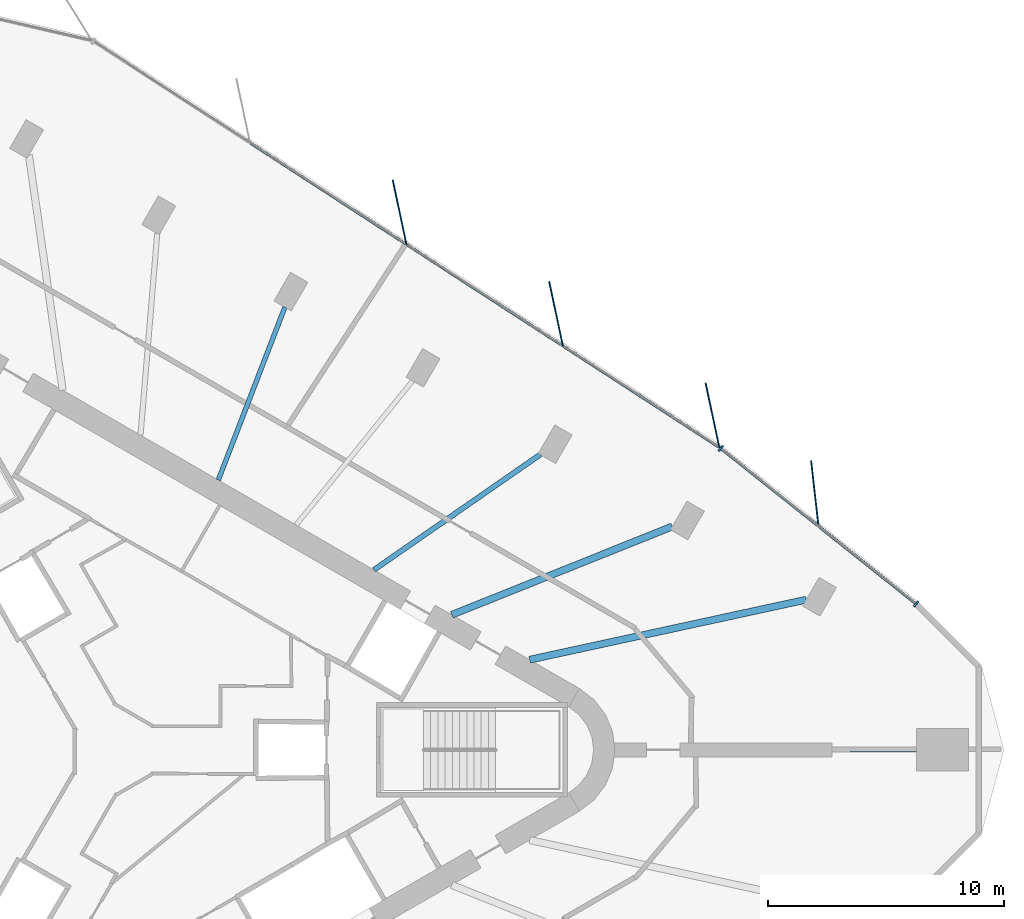
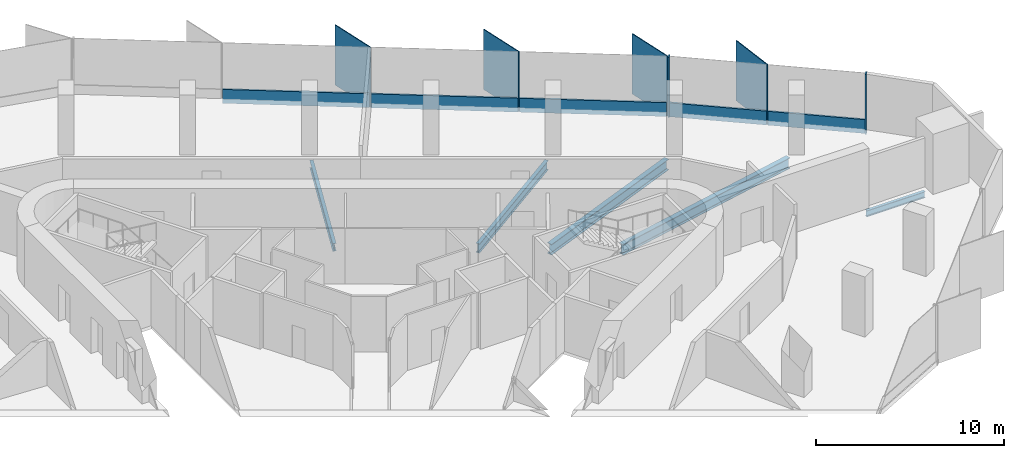
# One storey, part 5 of 13: 11 members, 5 beams, 2 elements without a shape of their own.
"""IFC4 building model written with IfcOpenShell, lengths in metres."""

import ifcopenshell
import ifcopenshell.guid

model = None  # the IFC model being written
_history = None  # IfcOwnerHistory: only IFC2X3 demands one
_inside = {}  # id of a spatial element -> (the spatial element, [elements in it])
_under = {}  # id of a project, library or spatial element -> (it, [spatial elements below it])
_declared = {}  # id of a project -> (the project, [libraries it declares])
_typed = {}  # id of a type object -> (the type object, [elements of that type])
_made_of = {}  # id of a material, layer set ... -> (it, [elements and type objects made of it])


def new_model(schema):
    """Start an empty IFC model of exactly this schema.

    Asked for "IFC4X3", IfcOpenShell would pick the latest addendum, in which some entities
    have other attributes; the version numbers below select the first issue.
    IFC2X3 requires an IfcOwnerHistory on every rooted entity: one is made here for all.
    """
    global model, _history
    if schema == "IFC4X3":
        model = ifcopenshell.file(schema_version=(4, 3, 0, 0))
    else:
        model = ifcopenshell.file(schema=schema)
    _inside.clear()
    _under.clear()
    _declared.clear()
    _typed.clear()
    _made_of.clear()
    _history = None
    if model.schema == "IFC2X3":
        org = make("IfcOrganization", Name="unknown")
        user = make(
            "IfcPersonAndOrganization",
            ThePerson=make("IfcPerson", FamilyName="unknown"),
            TheOrganization=org,
        )
        app = make(
            "IfcApplication",
            ApplicationDeveloper=org,
            Version="unknown",
            ApplicationFullName="unknown",
            ApplicationIdentifier="unknown",
        )
        _history = make(
            "IfcOwnerHistory",
            OwningUser=user,
            OwningApplication=app,
            ChangeAction="ADDED",
            CreationDate=0,
        )
    return model


def make(cls, **values):
    """One entity of the class cls with the attributes given. An attribute that is None is left unset."""
    return model.create_entity(
        cls, **{name: value for name, value in values.items() if value is not None}
    )


def rooted(cls, **values):
    """An entity with a GlobalId (a new one), such as an element, a storey or a relation."""
    return make(cls, GlobalId=ifcopenshell.guid.new(), OwnerHistory=_history, **values)


def si_unit(unit_type, name, prefix=None):
    """IfcSIUnit, for example si_unit("LENGTHUNIT", "METRE", prefix="MILLI")."""
    return make("IfcSIUnit", UnitType=unit_type, Prefix=prefix, Name=name)


def assignment(units):
    """IfcUnitAssignment: the units of a project."""
    return None if units is None else make("IfcUnitAssignment", Units=units)


def point(xyz):
    """IfcCartesianPoint."""
    return None if xyz is None else make("IfcCartesianPoint", Coordinates=xyz)


def direction(xyz):
    """IfcDirection."""
    return None if xyz is None else make("IfcDirection", DirectionRatios=xyz)


def frame(location, z_axis=None, x_axis=None):
    """IfcAxis2Placement3D, a coordinate frame: its origin and axes. An axis left out is left unset."""
    return make(
        "IfcAxis2Placement3D",
        Location=point(location),
        Axis=direction(z_axis),
        RefDirection=direction(x_axis),
    )


def frame_2d(location, x_axis=None):
    """IfcAxis2Placement2D, a coordinate frame in the plane: its origin and x axis."""
    return make(
        "IfcAxis2Placement2D", Location=point(location), RefDirection=direction(x_axis)
    )


def origin():
    """The frame at (0, 0, 0) with its axes left unset."""
    return frame((0.0, 0.0, 0.0))


def origin_2d():
    """The frame at (0, 0) in the plane with its x axis left unset."""
    return frame_2d((0.0, 0.0))


def place(relative_to, where):
    """IfcLocalPlacement: puts the frame where relative to a parent placement (None: the world)."""
    return make(
        "IfcLocalPlacement", PlacementRelTo=relative_to, RelativePlacement=where
    )


def context(
    kind, dimensions, precision=None, world=None, true_north=None, identifier=None
):
    """IfcGeometricRepresentationContext, for example the 3D "Model" context."""
    return make(
        "IfcGeometricRepresentationContext",
        ContextIdentifier=identifier,
        ContextType=kind,
        CoordinateSpaceDimension=dimensions,
        Precision=precision,
        WorldCoordinateSystem=world,
        TrueNorth=true_north,
    )


def subcontext(parent, identifier, kind, view, scale=None):
    """IfcGeometricRepresentationSubContext, for example "Body" below "Model"."""
    return make(
        "IfcGeometricRepresentationSubContext",
        ContextIdentifier=identifier,
        ContextType=kind,
        ParentContext=parent,
        TargetScale=scale,
        TargetView=view,
    )


def project(units=None, contexts=None):
    """IfcProject with its units and contexts."""
    return rooted(
        "IfcProject",
        Name="project",
        RepresentationContexts=contexts,
        UnitsInContext=assignment(units),
    )


def spatial(cls, under=None, at=None, **own):
    """A site, building, storey or space (cls), placed at a placement, below another one or the project."""
    s = rooted(cls, ObjectPlacement=at, **own)
    if under is not None:
        _under.setdefault(under.id(), (under, []))[1].append(s)
    return s


def profile(cls, at=None, kind="AREA", **sizes):
    """A parametric profile (cls). Its sizes go by their IFC names, for example OverallWidth=200.0."""
    return make(cls, ProfileType=kind, Position=at, **sizes)


def rectangle(**sizes):
    """IfcRectangleProfileDef."""
    return profile("IfcRectangleProfileDef", **sizes)


def i_section(**sizes):
    """IfcIShapeProfileDef."""
    return profile("IfcIShapeProfileDef", **sizes)


def extrude(swept, where, along, depth):
    """IfcExtrudedAreaSolid: the profile swept, set in the frame where, extruded along a direction by depth."""
    return make(
        "IfcExtrudedAreaSolid",
        SweptArea=swept,
        Position=where,
        ExtrudedDirection=direction(along),
        Depth=depth,
    )


def shape(context_of_items, identifier, shape_type, items):
    """IfcShapeRepresentation: the items that make up one representation, for example the "Body"."""
    return make(
        "IfcShapeRepresentation",
        ContextOfItems=context_of_items,
        RepresentationIdentifier=identifier,
        RepresentationType=shape_type,
        Items=items,
    )


def material(Name=None, Category=None):
    """IfcMaterial."""
    return make("IfcMaterial", Name=Name, Category=Category)


def material_profile(
    of_material, cross_section, Name=None, Category=None, Priority=None
):
    """IfcMaterialProfile: a cross section and its material."""
    return make(
        "IfcMaterialProfile",
        Name=Name,
        Material=of_material,
        Profile=cross_section,
        Priority=Priority,
        Category=Category,
    )


def profile_set(profiles, Name=None, composite=None):
    """IfcMaterialProfileSet."""
    return make(
        "IfcMaterialProfileSet",
        Name=Name,
        MaterialProfiles=profiles,
        CompositeProfile=composite,
    )


def made_of(thing, what):
    """Note that an element or type object is made of a material, layer set ...; save() writes the relation."""
    if what is not None:
        _made_of.setdefault(what.id(), (what, []))[1].append(thing)
    return thing


def type_object(cls, material=None, **own):
    """A type object (cls), such as IfcWallType, which elements share."""
    return made_of(rooted(cls, **own), material)


def element(
    cls,
    number,
    at=None,
    inside=None,
    cuts=None,
    type_object=None,
    material=None,
    context=None,
    identifier="Body",
    shape_type=None,
    held_by="IfcProductDefinitionShape",
    body=None,
    shapes=None,
    **own,
):
    """One element of the class cls, such as IfcWall. Its Tag is "e" and its number.

    at: its placement. inside: the storey or other place that contains it. cuts: it is an
    opening in that element (IfcRelVoidsElement). A single representation is given by context,
    identifier, shape_type and body (its items); several are given by shapes. held_by: the class
    of the entity that holds the representations. save() writes the other relations.
    """
    e = rooted(cls, Tag="e%d" % number, ObjectPlacement=at, **own)
    if body is not None:
        shapes = [shape(context, identifier, shape_type, body)]
    if shapes is not None:
        e.Representation = make(held_by, Representations=shapes)
    if inside is not None:
        _inside.setdefault(inside.id(), (inside, []))[1].append(e)
    if cuts is not None:
        rooted(
            "IfcRelVoidsElement", RelatingBuildingElement=cuts, RelatedOpeningElement=e
        )
    if type_object is not None:
        _typed.setdefault(type_object.id(), (type_object, []))[1].append(e)
    return made_of(e, material)


def aggregate(whole, parts):
    """IfcRelAggregates: a whole, such as a stair, and the parts it consists of."""
    return rooted("IfcRelAggregates", RelatingObject=whole, RelatedObjects=parts)


def save(model, path):
    """Write the relations noted so far, then the file.

    IfcRelAggregates (storeys below a building ...), IfcRelContainedInSpatialStructure (elements
    in a storey), IfcRelDefinesByType, IfcRelAssociatesMaterial and IfcRelDeclares: one each for
    every whole, place, type object, material and project.
    """
    for whole, parts in _under.values():
        aggregate(whole, parts)
    for where, things in _inside.values():
        rooted(
            "IfcRelContainedInSpatialStructure",
            RelatedElements=things,
            RelatingStructure=where,
        )
    for kind, things in _typed.values():
        rooted("IfcRelDefinesByType", RelatedObjects=things, RelatingType=kind)
    for what, things in _made_of.values():
        rooted("IfcRelAssociatesMaterial", RelatedObjects=things, RelatingMaterial=what)
    for by, libraries in _declared.values():
        rooted("IfcRelDeclares", RelatingContext=by, RelatedDefinitions=libraries)
    model.write(path)


model = new_model("IFC4")

# Units and contexts
model_context = context("Model", 3, precision=1e-05, world=origin(), true_north=direction((0.0, 1.0)))
body_context = subcontext(model_context, "Body", "Model", "MODEL_VIEW")
ifc_project = project(units=[si_unit("LENGTHUNIT", "METRE"), si_unit("AREAUNIT", "SQUARE_METRE"), si_unit("VOLUMEUNIT", "CUBIC_METRE"), si_unit("PLANEANGLEUNIT", "RADIAN"), si_unit("MASSUNIT", "GRAM", prefix="KILO")], contexts=[model_context])

# Site, building, storey
site_placement = place(None, origin())
site = spatial("IfcSite", under=ifc_project, at=site_placement, CompositionType="ELEMENT")
building_placement = place(site_placement, origin())
building = spatial("IfcBuilding", under=site, at=building_placement, Name="Tanit Gate Tower", CompositionType="ELEMENT")
storey_placement = place(building_placement, frame((0.0, 0.0, 314.300048828125)))
storey = spatial("IfcBuildingStorey", under=building, at=storey_placement, Name="L70", CompositionType="ELEMENT", Elevation=314.300048828125)

# Curtain wall, member
ifc_material_1 = material(Name="Aluminium bronze anodised and glass", Category="aluminium")
curtain_wall_type = type_object("IfcCurtainWallType", Name="Curtain wall typical high", PredefinedType="NOTDEFINED", material=ifc_material_1)
curtain_wall_1_placement = place(storey_placement, origin())
curtain_wall_1 = element("IfcCurtainWall", 1, at=curtain_wall_1_placement, inside=storey, type_object=curtain_wall_type, Name="Curtain wall L70 NE1", PredefinedType="NOTDEFINED")
ifc_material_2 = material(Name="Aluminium bronze anodised", Category="aluminium")
ifc_material_profile_1 = material_profile(ifc_material_2, rectangle(XDim=2.800048828125, YDim=0.055908203125, at=origin_2d()), Name="56x2800 bronze fin mullion")
ifc_profile_set_1 = profile_set([ifc_material_profile_1], Name="Aluminium bronze anodised")
member_type_1 = type_object("IfcMemberType", Name="FIN MULLION 56x2800 bronze", PredefinedType="MULLION", material=ifc_profile_set_1)
member_1_placement = place(storey_placement, frame((29.66943359375, 10.850830078125, -0.300048828125), z_axis=(0.0, 0.0, 1.0), x_axis=(0.112781619108, -0.993619799718, 0.0)))
member_1 = element("IfcMember", 2, at=member_1_placement, type_object=member_type_1, Name="Fin mullion L70 NE1.2", PredefinedType="MULLION", context=body_context, shape_type="SweptSolid", body=[
    extrude(rectangle(XDim=2.800048828125, YDim=0.055908203125, at=origin_2d()), origin(), (0.0, 0.0, 1.0), 3.89990234375),
])

# Curtain wall, members
curtain_wall_2_placement = place(storey_placement, origin())
curtain_wall_2 = element("IfcCurtainWall", 3, at=curtain_wall_2_placement, inside=storey, type_object=curtain_wall_type, Name="Curtain wall L70 NE2", PredefinedType="NOTDEFINED")
member_2_placement = place(storey_placement, frame((25.33447265625, 14.170654296875, -0.300048828125), z_axis=(0.0, 0.0, 1.0), x_axis=(0.208237849046, -0.978078216824, 0.0)))
member_2 = element("IfcMember", 4, at=member_2_placement, type_object=member_type_1, Name="Fin mullion L70 NE2.1", PredefinedType="MULLION", context=body_context, shape_type="SweptSolid", body=[
    extrude(rectangle(XDim=2.800048828125, YDim=0.055908203125, at=origin_2d()), origin(), (0.0, 0.0, 1.0), 3.89990234375),
])
member_3_placement = place(storey_placement, frame((18.7080078125, 18.470703125, -0.300048828125), z_axis=(0.0, 0.0, 1.0), x_axis=(0.208237849046, -0.978078216824, 0.0)))
member_3 = element("IfcMember", 5, at=member_3_placement, type_object=member_type_1, Name="Fin mullion L70 NE2.2", PredefinedType="MULLION", context=body_context, shape_type="SweptSolid", body=[
    extrude(rectangle(XDim=2.800048828125, YDim=0.055908203125, at=origin_2d()), origin(), (0.0, 0.0, 1.0), 3.89990234375),
])
member_4_placement = place(storey_placement, frame((12.08154296875, 22.770751953125, -0.300048828125), z_axis=(0.0, 0.0, 1.0), x_axis=(0.208237849046, -0.978078216824, 0.0)))
member_4 = element("IfcMember", 6, at=member_4_placement, type_object=member_type_1, Name="Fin mullion L70 NE2.3", PredefinedType="MULLION", context=body_context, shape_type="SweptSolid", body=[
    extrude(rectangle(XDim=2.800048828125, YDim=0.055908203125, at=origin_2d()), origin(), (0.0, 0.0, 1.0), 3.89990234375),
])

# Member
ifc_material_3 = material(Name="Aluminium bronze anodised", Category="aluminium")
ifc_material_profile_2 = material_profile(ifc_material_3, rectangle(XDim=0.280029296875, YDim=0.080078125, at=origin_2d()), Name="80x280 bronze mullion")
ifc_profile_set_2 = profile_set([ifc_material_profile_2], Name="Aluminium bronze anodised")
member_type_2 = type_object("IfcMemberType", Name="Mullion 80x280 typical high", PredefinedType="MULLION", material=ifc_profile_set_2)
member_5_placement = place(storey_placement, frame((33.96337890625, 6.184814453125, -0.300048828125), z_axis=(0.0, 0.0, 1.0), x_axis=(-0.622846650637, -0.782343945966, 0.0)))
member_5 = element("IfcMember", 7, at=member_5_placement, type_object=member_type_2, Name="Mullion L70 NE1.1", PredefinedType="MULLION", context=body_context, shape_type="SweptSolid", body=[
    extrude(rectangle(XDim=0.280029296875, YDim=0.080078125, at=origin_2d()), origin(), (0.0, 0.0, 1.0), 3.89990234375),
])

member_6_placement = place(storey_placement, frame((25.686767578125, 12.77392578125, -0.300048828125), z_axis=(0.0, 0.0, 1.0), x_axis=(-0.622846650637, -0.782343945966, 0.0)))
member_6 = element("IfcMember", 8, at=member_6_placement, type_object=member_type_2, Name="Mullion L70 NE1.3", PredefinedType="MULLION", context=body_context, shape_type="SweptSolid", body=[
    extrude(rectangle(XDim=0.280029296875, YDim=0.080078125, at=origin_2d()), origin(), (0.0, 0.0, 1.0), 3.89990234375),
])

# Beams
ifc_material_4 = material(Name="Steel S355", Category="steel")
ifc_material_profile_3 = material_profile(ifc_material_4, i_section(OverallWidth=0.300048828125, OverallDepth=0.68994140625, WebThickness=0.014404296875, FlangeThickness=0.027099609375, FilletRadius=0.027099609375, at=origin_2d()), Name="HEA 700")
ifc_profile_set_3 = profile_set([ifc_material_profile_3], Name="Steel S355")
beam_type_1 = type_object("IfcBeamType", Name="RADIAL GIRDER HEA 700 S355", PredefinedType="BEAM", material=ifc_profile_set_3)
beam_1_placement = place(storey_placement, frame((29.306396484375, 6.36279296875, -0.64501953125), z_axis=(-0.977231463817, -0.212176026275, 0.0), x_axis=(0.212176026275, -0.977231463817, 0.0)))
element("IfcBeam", 9, at=beam_1_placement, inside=storey, type_object=beam_type_1, Name="RADIAL GIRDER", PredefinedType="BEAM", context=body_context, shape_type="SweptSolid", body=[
    extrude(i_section(OverallWidth=0.300048828125, OverallDepth=0.68994140625, WebThickness=0.014404296875, FlangeThickness=0.027099609375, FilletRadius=0.027099609375, at=origin_2d()), origin(), (0.0, 0.0, 1.0), 11.98974609375),
])
beam_2_placement = place(storey_placement, frame((23.631103515625, 9.461181640625, -0.64501953125), z_axis=(-0.928359475125, -0.371683581753, 0.0), x_axis=(0.371683581753, -0.928359475125, 0.0)))
element("IfcBeam", 10, at=beam_2_placement, inside=storey, type_object=beam_type_1, Name="RADIAL GIRDER", PredefinedType="BEAM", context=body_context, shape_type="SweptSolid", body=[
    extrude(i_section(OverallWidth=0.300048828125, OverallDepth=0.68994140625, WebThickness=0.014404296875, FlangeThickness=0.027099609375, FilletRadius=0.027099609375, at=origin_2d()), origin(), (0.0, 0.0, 1.0), 10.05908203125),
])
ifc_material_5 = material(Name="Steel S355", Category="steel")
ifc_material_profile_4 = material_profile(ifc_material_5, i_section(OverallWidth=0.179931640625, OverallDepth=0.39990234375, WebThickness=0.008544921875, FlangeThickness=0.013427734375, FilletRadius=0.02099609375, at=origin_2d()), Name="IPE 400")
ifc_profile_set_4 = profile_set([ifc_material_profile_4], Name="Steel S355")
beam_type_2 = type_object("IfcBeamType", Name="RADIAL GIRDER IPE 400 S355", PredefinedType="BEAM", material=ifc_profile_set_4)
beam_3_placement = place(storey_placement, frame((33.98291015625, 0.0, -0.5), z_axis=(-1.0, 0.0, 0.0), x_axis=(0.0, -1.0, 0.0)))
element("IfcBeam", 11, at=beam_3_placement, inside=storey, type_object=beam_type_2, Name="RADIAL GIRDER", PredefinedType="BEAM", context=body_context, shape_type="SweptSolid", body=[
    extrude(i_section(OverallWidth=0.179931640625, OverallDepth=0.39990234375, WebThickness=0.008544921875, FlangeThickness=0.013427734375, FilletRadius=0.02099609375, at=origin_2d()), origin(), (0.0, 0.0, 1.0), 3.5791015625),
])
ifc_material_6 = material(Name="Steel S355", Category="steel")
ifc_material_profile_5 = material_profile(ifc_material_6, i_section(OverallWidth=0.199951171875, OverallDepth=0.5, WebThickness=0.01025390625, FlangeThickness=0.01611328125, FilletRadius=0.02099609375, at=origin_2d()), Name="IPE 500")
ifc_profile_set_5 = profile_set([ifc_material_profile_5], Name="Steel S355")
beam_type_3 = type_object("IfcBeamType", Name="RADIAL GIRDER IPE 500 S355", PredefinedType="BEAM", material=ifc_profile_set_5)
beam_4_placement = place(storey_placement, frame((7.22119140625, 18.751220703125, -0.550048828125), z_axis=(-0.359385809885, -0.933189069617, 0.0), x_axis=(0.933189069617, -0.359385809885, 0.0)))
element("IfcBeam", 12, at=beam_4_placement, inside=storey, type_object=beam_type_3, Name="RADIAL GIRDER", PredefinedType="BEAM", context=body_context, shape_type="SweptSolid", body=[
    extrude(i_section(OverallWidth=0.199951171875, OverallDepth=0.5, WebThickness=0.01025390625, FlangeThickness=0.01611328125, FilletRadius=0.02099609375, at=origin_2d()), origin(), (0.0, 0.0, 1.0), 7.8427734375),
])
ifc_material_7 = material(Name="Steel S355", Category="steel")
ifc_material_profile_6 = material_profile(ifc_material_7, i_section(OverallWidth=0.219970703125, OverallDepth=0.60009765625, WebThickness=0.011962890625, FlangeThickness=0.01904296875, FilletRadius=0.02392578125, at=origin_2d()), Name="IPE 600")
ifc_profile_set_6 = profile_set([ifc_material_profile_6], Name="Steel S355")
beam_type_4 = type_object("IfcBeamType", Name="RADIAL GIRDER IPE 600 S355", PredefinedType="BEAM", material=ifc_profile_set_6)
beam_5_placement = place(storey_placement, frame((18.03564453125, 12.50732421875, -0.60009765625), z_axis=(-0.821738455581, -0.569864817847, 0.0), x_axis=(0.569864817847, -0.821738455581, 0.0)))
element("IfcBeam", 13, at=beam_5_placement, inside=storey, type_object=beam_type_4, Name="RADIAL GIRDER", PredefinedType="BEAM", context=body_context, shape_type="SweptSolid", body=[
    extrude(i_section(OverallWidth=0.219970703125, OverallDepth=0.60009765625, WebThickness=0.011962890625, FlangeThickness=0.01904296875, FilletRadius=0.02392578125, at=origin_2d()), origin(), (0.0, 0.0, 1.0), 8.566650390625),
])

# Member
ifc_material_8 = material(Name="Aluminium bronze anodised", Category="aluminium")
ifc_material_profile_7 = material_profile(ifc_material_8, rectangle(XDim=0.1201171875, YDim=0.89990234375, at=origin_2d()), Name="120x900 bronze transom")
ifc_profile_set_7 = profile_set([ifc_material_profile_7], Name="Aluminium bronze anodised")
member_type_3 = type_object("IfcMemberType", Name="Transom 120x900 typical high", PredefinedType="USERDEFINED", material=ifc_profile_set_7)
member_7_placement = place(storey_placement, frame((33.93212890625, 6.209716796875, 0.14990234375), z_axis=(-0.78235710859, 0.622830116998, 0.0), x_axis=(-0.622830116998, -0.78235710859, 0.0)))
member_7 = element("IfcMember", 14, at=member_7_placement, type_object=member_type_3, Name="Transom L70 NE1.1", ObjectType="TRANSOM", PredefinedType="USERDEFINED", context=body_context, shape_type="SweptSolid", body=[
    extrude(rectangle(XDim=0.1201171875, YDim=0.89990234375, at=origin_2d()), origin(), (0.0, 0.0, 1.0), 5.20947265625),
])

member_8_placement = place(storey_placement, frame((29.7939453125, 9.504150390625, 0.14990234375), z_axis=(-0.782352452495, 0.622835965625, 0.0), x_axis=(-0.622835965625, -0.782352452495, 0.0)))
member_8 = element("IfcMember", 15, at=member_8_placement, type_object=member_type_3, Name="Transom L70 NE1.2", ObjectType="TRANSOM", PredefinedType="USERDEFINED", context=body_context, shape_type="SweptSolid", body=[
    extrude(rectangle(XDim=0.1201171875, YDim=0.89990234375, at=origin_2d()), origin(), (0.0, 0.0, 1.0), 5.209716796875),
])

aggregate(curtain_wall_1, [member_5, member_1, member_6, member_7, member_8])

member_9_placement = place(storey_placement, frame((25.58837890625, 12.842529296875, 0.14990234375), z_axis=(-0.838850699272, 0.544361556624, 0.0), x_axis=(-0.544361556624, -0.838850699272, 0.0)))
member_9 = element("IfcMember", 16, at=member_9_placement, type_object=member_type_3, Name="Transom L70 NE2.1", ObjectType="TRANSOM", PredefinedType="USERDEFINED", context=body_context, shape_type="SweptSolid", body=[
    extrude(rectangle(XDim=0.1201171875, YDim=0.89990234375, at=origin_2d()), origin(), (0.0, 0.0, 1.0), 7.8193359375),
])

member_10_placement = place(storey_placement, frame((18.9619140625, 17.142578125, 0.14990234375), z_axis=(-0.838850699272, 0.544361556624, 0.0), x_axis=(-0.544361556624, -0.838850699272, 0.0)))
member_10 = element("IfcMember", 17, at=member_10_placement, type_object=member_type_3, Name="Transom L70 NE2.2", ObjectType="TRANSOM", PredefinedType="USERDEFINED", context=body_context, shape_type="SweptSolid", body=[
    extrude(rectangle(XDim=0.1201171875, YDim=0.89990234375, at=origin_2d()), origin(), (0.0, 0.0, 1.0), 7.8193359375),
])

member_11_placement = place(storey_placement, frame((12.33544921875, 21.442626953125, 0.14990234375), z_axis=(-0.838850699272, 0.544361556624, 0.0), x_axis=(-0.544361556624, -0.838850699272, 0.0)))
member_11 = element("IfcMember", 18, at=member_11_placement, type_object=member_type_3, Name="Transom L70 NE2.3", ObjectType="TRANSOM", PredefinedType="USERDEFINED", context=body_context, shape_type="SweptSolid", body=[
    extrude(rectangle(XDim=0.1201171875, YDim=0.89990234375, at=origin_2d()), origin(), (0.0, 0.0, 1.0), 7.8193359375),
])

aggregate(curtain_wall_2, [member_2, member_3, member_4, member_9, member_10, member_11])

save(model, "model.ifc")
